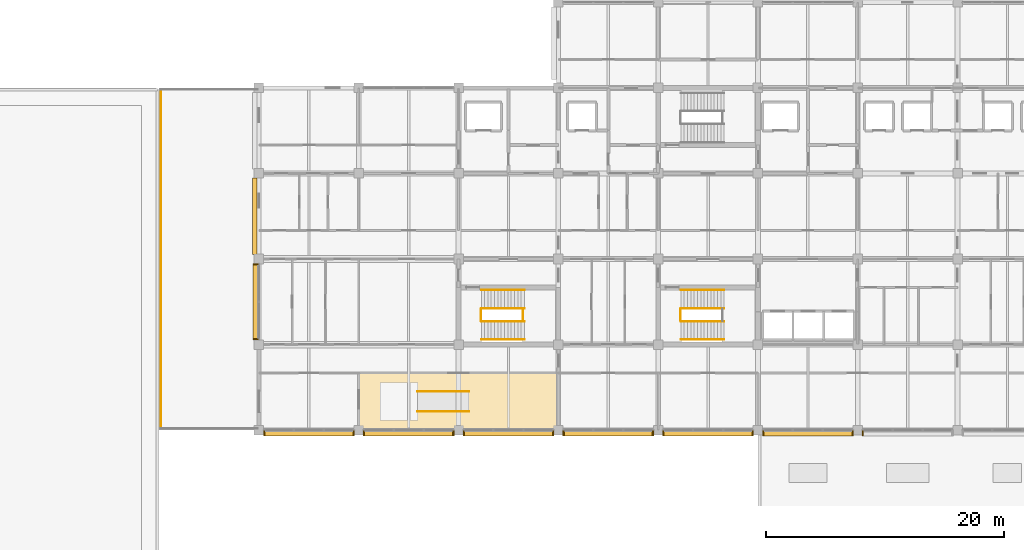
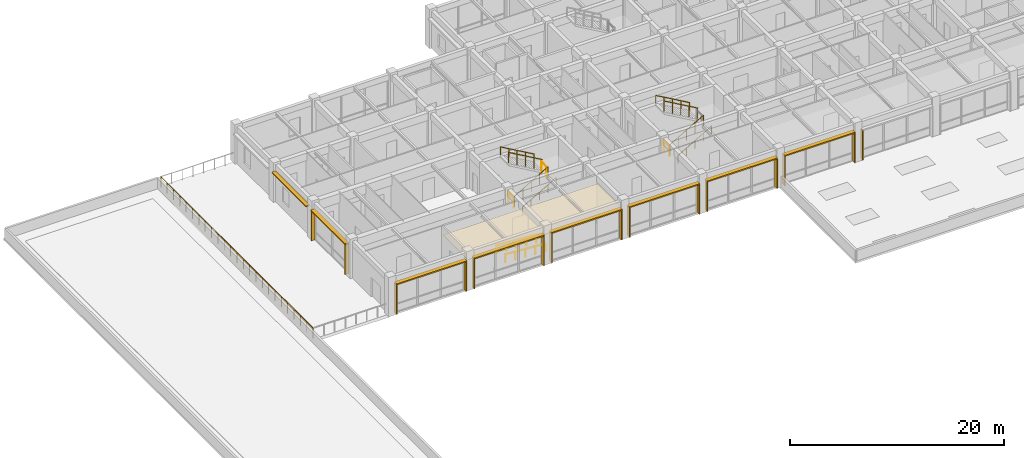
# One storey, part 35 of 40: 23 shading devices, 14 railings, 1 covering.
"""IFC4 building model written with IfcOpenShell, lengths in metres."""

from ifc_helpers import new_model, si_unit, direction, frame, origin, origin_2d, place, context, subcontext, project, spatial, polyline, rectangle, circle, outline, extrude, material, layer, layer_set, type_object, element, save


model = new_model("IFC4")

# Units and contexts
model_context = context("Model", 3, precision=1e-05, world=origin(), true_north=direction((0.0, 1.0)))
body_context = subcontext(model_context, "Body", "Model", "MODEL_VIEW")
ifc_project = project(units=[si_unit("LENGTHUNIT", "METRE"), si_unit("AREAUNIT", "SQUARE_METRE"), si_unit("VOLUMEUNIT", "CUBIC_METRE"), si_unit("PLANEANGLEUNIT", "RADIAN"), si_unit("MASSUNIT", "GRAM", prefix="KILO")], contexts=[model_context])

# Site, building, storey
site_placement = place(None, origin())
site = spatial("IfcSite", under=ifc_project, at=site_placement, CompositionType="ELEMENT")
building_placement = place(site_placement, origin())
building = spatial("IfcBuilding", under=site, at=building_placement, Name="Chengyuan Square Courthouse", CompositionType="ELEMENT")
storey_placement = place(building_placement, frame((0.0, 0.0, 21.60009765625)))
storey = spatial("IfcBuildingStorey", under=building, at=storey_placement, Name="L05", CompositionType="ELEMENT", Elevation=21.60009765625)

# Covering
ifc_material_1 = material(Name="Perforated Larch Glulam Acoustic Slat Ceiling", Category="wood")
ifc_layer = layer(ifc_material_1, 0.044921875)
ifc_layer_set = layer_set([ifc_layer], Name="Perforated Larch Glulam Acoustic Slat Ceiling")
covering_type = type_object("IfcCoveringType", Name="CLG-01", PredefinedType="CEILING", material=ifc_layer_set)
covering_placement = place(storey_placement, frame((0.0, 0.0, 3.139892578125)))
element("IfcCovering", 1, at=covering_placement, inside=storey, type_object=covering_type, Name="Acoustic Timber Slat Ceiling CLG-L05-CRT-M1", PredefinedType="CEILING", context=body_context, shape_type="SweptSolid", body=[
    extrude(outline(polyline([(33.64990234375, 79.25), (50.35009765625, 79.25), (50.35009765625, 83.949951171875), (33.64990234375, 83.949951171875), (33.64990234375, 79.25)])), origin(), (0.0, 0.0, 1.0), 0.044921875),
])

# Railings
ifc_material_2 = material(Name="Stainless Steel S30408 and Laminated Glass Balustrade", Category="steel")
railing_type_1 = type_object("IfcRailingType", Name="RL-01", PredefinedType="BALUSTRADE", material=ifc_material_2)
railing_1_placement = place(storey_placement, frame((16.93994140625, 79.340087890625, 0.0)))
element("IfcRailing", 2, at=railing_1_placement, inside=storey, type_object=railing_type_1, Name="Terrace Safety Balustrade RL-TER-007", PredefinedType="BALUSTRADE", context=body_context, shape_type="SweptSolid", body=[
    extrude(circle(Radius=0.02392578125, at=origin_2d()), frame((0.0, 0.0, 1.17578125), z_axis=(0.0, 1.0, 0.0), x_axis=(-1.0, 0.0, 0.0)), (0.0, 0.0, 1.0), 28.52001953125),
    extrude(circle(Radius=0.02099609375, at=origin_2d()), origin(), (0.0, 0.0, 1.0), 1.15185546875),
    extrude(circle(Radius=0.02099609375, at=origin_2d()), frame((0.0, 1.188232421875, 0.0)), (0.0, 0.0, 1.0), 1.15185546875),
    extrude(circle(Radius=0.02099609375, at=origin_2d()), frame((0.0, 2.376708984375, 0.0)), (0.0, 0.0, 1.0), 1.15185546875),
    extrude(circle(Radius=0.02099609375, at=origin_2d()), frame((0.0, 3.56494140625, 0.0)), (0.0, 0.0, 1.0), 1.15185546875),
    extrude(circle(Radius=0.02099609375, at=origin_2d()), frame((0.0, 4.75341796875, 0.0)), (0.0, 0.0, 1.0), 1.15185546875),
    extrude(circle(Radius=0.02099609375, at=origin_2d()), frame((0.0, 5.941650390625, 0.0)), (0.0, 0.0, 1.0), 1.15185546875),
    extrude(circle(Radius=0.02099609375, at=origin_2d()), frame((0.0, 7.1298828125, 0.0)), (0.0, 0.0, 1.0), 1.15185546875),
    extrude(circle(Radius=0.02099609375, at=origin_2d()), frame((0.0, 8.318359375, 0.0)), (0.0, 0.0, 1.0), 1.15185546875),
    extrude(circle(Radius=0.02099609375, at=origin_2d()), frame((0.0, 9.506591796875, 0.0)), (0.0, 0.0, 1.0), 1.15185546875),
    extrude(circle(Radius=0.02099609375, at=origin_2d()), frame((0.0, 10.695068359375, 0.0)), (0.0, 0.0, 1.0), 1.15185546875),
    extrude(circle(Radius=0.02099609375, at=origin_2d()), frame((0.0, 11.88330078125, 0.0)), (0.0, 0.0, 1.0), 1.15185546875),
    extrude(circle(Radius=0.02099609375, at=origin_2d()), frame((0.0, 13.07177734375, 0.0)), (0.0, 0.0, 1.0), 1.15185546875),
    extrude(circle(Radius=0.02099609375, at=origin_2d()), frame((0.0, 14.260009765625, 0.0)), (0.0, 0.0, 1.0), 1.15185546875),
    extrude(circle(Radius=0.02099609375, at=origin_2d()), frame((0.0, 15.4482421875, 0.0)), (0.0, 0.0, 1.0), 1.15185546875),
    extrude(circle(Radius=0.02099609375, at=origin_2d()), frame((0.0, 16.63671875, 0.0)), (0.0, 0.0, 1.0), 1.15185546875),
    extrude(circle(Radius=0.02099609375, at=origin_2d()), frame((0.0, 17.824951171875, 0.0)), (0.0, 0.0, 1.0), 1.15185546875),
    extrude(circle(Radius=0.02099609375, at=origin_2d()), frame((0.0, 19.013427734375, 0.0)), (0.0, 0.0, 1.0), 1.15185546875),
    extrude(circle(Radius=0.02099609375, at=origin_2d()), frame((0.0, 20.20166015625, 0.0)), (0.0, 0.0, 1.0), 1.15185546875),
    extrude(circle(Radius=0.02099609375, at=origin_2d()), frame((0.0, 21.39013671875, 0.0)), (0.0, 0.0, 1.0), 1.15185546875),
    extrude(circle(Radius=0.02099609375, at=origin_2d()), frame((0.0, 22.578369140625, 0.0)), (0.0, 0.0, 1.0), 1.15185546875),
    extrude(circle(Radius=0.02099609375, at=origin_2d()), frame((0.0, 23.7666015625, 0.0)), (0.0, 0.0, 1.0), 1.15185546875),
    extrude(circle(Radius=0.02099609375, at=origin_2d()), frame((0.0, 24.955078125, 0.0)), (0.0, 0.0, 1.0), 1.15185546875),
    extrude(circle(Radius=0.02099609375, at=origin_2d()), frame((0.0, 26.143310546875, 0.0)), (0.0, 0.0, 1.0), 1.15185546875),
    extrude(circle(Radius=0.02099609375, at=origin_2d()), frame((0.0, 27.331787109375, 0.0)), (0.0, 0.0, 1.0), 1.15185546875),
    extrude(circle(Radius=0.02099609375, at=origin_2d()), frame((0.0, 28.52001953125, 0.0)), (0.0, 0.0, 1.0), 1.15185546875),
])
ifc_material_3 = material(Name="Tempered Glass and Timber Top-Rail Balustrade", Category="wood")
railing_type_2 = type_object("IfcRailingType", Name="RL-02", PredefinedType="BALUSTRADE", material=ifc_material_3)
railing_2_placement = place(storey_placement, frame((60.68994140625, 88.39990234375, 0.0)))
element("IfcRailing", 3, at=railing_2_placement, inside=storey, type_object=railing_type_2, Name="Stair Floor Slot Guard ST-3 L05", PredefinedType="BALUSTRADE", context=body_context, shape_type="SweptSolid", body=[
    extrude(circle(Radius=0.02392578125, at=origin_2d()), frame((0.0, 0.0, 1.17578125), z_axis=(0.0, 1.0, 0.0), x_axis=(-1.0, 0.0, 0.0)), (0.0, 0.0, 1.0), 1.0),
    extrude(circle(Radius=0.02099609375, at=origin_2d()), origin(), (0.0, 0.0, 1.0), 1.15185546875),
    extrude(circle(Radius=0.02099609375, at=origin_2d()), frame((0.0, 1.0, 0.0)), (0.0, 0.0, 1.0), 1.15185546875),
])
railing_3_placement = place(storey_placement, frame((60.7099609375, 88.35009765625, 0.16064453125)))
element("IfcRailing", 4, at=railing_3_placement, inside=storey, type_object=railing_type_2, Name="Stair Flight 1 Guard ST-3-L05", PredefinedType="BALUSTRADE", context=body_context, shape_type="SweptSolid", body=[
    extrude(circle(Radius=0.02392578125, at=origin_2d()), frame((0.0, 0.0, 1.17578125), z_axis=(0.867289372828, 0.0, 0.497804322781), x_axis=(0.0, 1.0, 0.0)), (0.0, 0.0, 1.0), 4.197021484375),
    extrude(circle(Radius=0.02099609375, at=origin_2d()), origin(), (0.0, 0.0, 1.0), 1.15185546875),
    extrude(circle(Radius=0.02099609375, at=origin_2d()), frame((0.91015625, 0.0, 0.5224609375)), (0.0, 0.0, 1.0), 1.15185546875),
    extrude(circle(Radius=0.02099609375, at=origin_2d()), frame((1.820068359375, 0.0, 1.044677734375)), (0.0, 0.0, 1.0), 1.15185546875),
    extrude(circle(Radius=0.02099609375, at=origin_2d()), frame((2.72998046875, 0.0, 1.56689453125)), (0.0, 0.0, 1.0), 1.15185546875),
    extrude(circle(Radius=0.02099609375, at=origin_2d()), frame((3.64013671875, 0.0, 2.08935546875)), (0.0, 0.0, 1.0), 1.15185546875),
])
railing_4_placement = place(storey_placement, frame((64.35009765625, 89.449951171875, 2.41064453125)))
element("IfcRailing", 5, at=railing_4_placement, inside=storey, type_object=railing_type_2, Name="Stair Flight 2 Guard ST-3-L05", PredefinedType="BALUSTRADE", context=body_context, shape_type="SweptSolid", body=[
    extrude(circle(Radius=0.02392578125, at=origin_2d()), frame((0.0, 0.0, 1.17578125), z_axis=(-0.867289372828, 0.0, 0.497804322781), x_axis=(0.0, -1.0, 0.0)), (0.0, 0.0, 1.0), 4.197021484375),
    extrude(circle(Radius=0.02099609375, at=origin_2d()), origin(), (0.0, 0.0, 1.0), 1.15185546875),
    extrude(circle(Radius=0.02099609375, at=origin_2d()), frame((-0.91015625, 0.0, 0.5224609375)), (0.0, 0.0, 1.0), 1.15185546875),
    extrude(circle(Radius=0.02099609375, at=origin_2d()), frame((-1.820068359375, 0.0, 1.044677734375)), (0.0, 0.0, 1.0), 1.15185546875),
    extrude(circle(Radius=0.02099609375, at=origin_2d()), frame((-2.72998046875, 0.0, 1.56689453125)), (0.0, 0.0, 1.0), 1.15185546875),
    extrude(circle(Radius=0.02099609375, at=origin_2d()), frame((-3.64013671875, 0.0, 2.08935546875)), (0.0, 0.0, 1.0), 1.15185546875),
])
for number, where, name in (
    (6, (43.889892578125, 88.39990234375, 0.0), "Stair Floor Slot Guard ST-5 L05"),
    (7, (47.429931640625, 88.39990234375, 2.25), "Stair Landing Guard ST-5-L05"),
):
    element("IfcRailing", number, at=place(storey_placement, frame(where)), inside=storey, type_object=railing_type_2, Name=name, PredefinedType="BALUSTRADE", context=body_context, shape_type="SweptSolid", body=[
        extrude(circle(Radius=0.02392578125, at=origin_2d()), frame((0.0, 0.0, 1.17578125), z_axis=(0.0, 1.0, 0.0), x_axis=(-1.0, 0.0, 0.0)), (0.0, 0.0, 1.0), 1.0),
        extrude(circle(Radius=0.02099609375, at=origin_2d()), origin(), (0.0, 0.0, 1.0), 1.15185546875),
        extrude(circle(Radius=0.02099609375, at=origin_2d()), frame((0.0, 1.0, 0.0)), (0.0, 0.0, 1.0), 1.15185546875),
    ])
railing_5_placement = place(storey_placement, frame((43.909912109375, 88.35009765625, 0.16064453125)))
element("IfcRailing", 8, at=railing_5_placement, inside=storey, type_object=railing_type_2, Name="Stair Flight 1 Guard ST-5-L05", PredefinedType="BALUSTRADE", context=body_context, shape_type="SweptSolid", body=[
    extrude(circle(Radius=0.02392578125, at=origin_2d()), frame((0.0, 0.0, 1.17578125), z_axis=(0.867289372828, 0.0, 0.497804322781), x_axis=(0.0, 1.0, 0.0)), (0.0, 0.0, 1.0), 4.197021484375),
    extrude(circle(Radius=0.02099609375, at=origin_2d()), origin(), (0.0, 0.0, 1.0), 1.15185546875),
    extrude(circle(Radius=0.02099609375, at=origin_2d()), frame((0.91015625, 0.0, 0.5224609375)), (0.0, 0.0, 1.0), 1.15185546875),
    extrude(circle(Radius=0.02099609375, at=origin_2d()), frame((1.820068359375, 0.0, 1.044677734375)), (0.0, 0.0, 1.0), 1.15185546875),
    extrude(circle(Radius=0.02099609375, at=origin_2d()), frame((2.72998046875, 0.0, 1.56689453125)), (0.0, 0.0, 1.0), 1.15185546875),
    extrude(circle(Radius=0.02099609375, at=origin_2d()), frame((3.64013671875, 0.0, 2.08935546875)), (0.0, 0.0, 1.0), 1.15185546875),
])
railing_6_placement = place(storey_placement, frame((47.550048828125, 89.449951171875, 2.41064453125)))
element("IfcRailing", 9, at=railing_6_placement, inside=storey, type_object=railing_type_2, Name="Stair Flight 2 Guard ST-5-L05", PredefinedType="BALUSTRADE", context=body_context, shape_type="SweptSolid", body=[
    extrude(circle(Radius=0.02392578125, at=origin_2d()), frame((0.0, 0.0, 1.17578125), z_axis=(-0.867289372828, 0.0, 0.497804322781), x_axis=(0.0, -1.0, 0.0)), (0.0, 0.0, 1.0), 4.197021484375),
    extrude(circle(Radius=0.02099609375, at=origin_2d()), origin(), (0.0, 0.0, 1.0), 1.15185546875),
    extrude(circle(Radius=0.02099609375, at=origin_2d()), frame((-0.91015625, 0.0, 0.5224609375)), (0.0, 0.0, 1.0), 1.15185546875),
    extrude(circle(Radius=0.02099609375, at=origin_2d()), frame((-1.820068359375, 0.0, 1.044677734375)), (0.0, 0.0, 1.0), 1.15185546875),
    extrude(circle(Radius=0.02099609375, at=origin_2d()), frame((-2.72998046875, 0.0, 1.56689453125)), (0.0, 0.0, 1.0), 1.15185546875),
    extrude(circle(Radius=0.02099609375, at=origin_2d()), frame((-3.64013671875, 0.0, 2.08935546875)), (0.0, 0.0, 1.0), 1.15185546875),
])
ifc_material_4 = material(Name="Stainless Steel S30408 Tubular Handrail", Category="steel")
railing_type_3 = type_object("IfcRailingType", Name="RL-03", PredefinedType="HANDRAIL", material=ifc_material_4)
for number, where, name in (
    (10, (42.8701171875, 80.760009765625, 0.0), "Accessible Bench Ramp Handrail 3.1"),
    (11, (42.8701171875, 82.43994140625, 0.0), "Accessible Bench Ramp Handrail 3.2"),
):
    element("IfcRailing", number, at=place(storey_placement, frame(where)), inside=storey, type_object=railing_type_3, Name=name, PredefinedType="HANDRAIL", context=body_context, shape_type="SweptSolid", body=[
        extrude(circle(Radius=0.02392578125, at=origin_2d()), frame((0.0, 0.0, 0.8759765625), z_axis=(-0.99805235901, 0.0, 0.06238179763), x_axis=(0.0, -1.0, 0.0)), (0.0, 0.0, 1.0), 4.32861328125),
        extrude(circle(Radius=0.02099609375, at=origin_2d()), origin(), (0.0, 0.0, 1.0), 0.851806640625),
        extrude(circle(Radius=0.02099609375, at=origin_2d()), frame((-1.080078125, 0.0, 0.0673828125)), (0.0, 0.0, 1.0), 0.851806640625),
        extrude(circle(Radius=0.02099609375, at=origin_2d()), frame((-2.16015625, 0.0, 0.135009765625)), (0.0, 0.0, 1.0), 0.851806640625),
        extrude(circle(Radius=0.02099609375, at=origin_2d()), frame((-3.239990234375, 0.0, 0.20263671875)), (0.0, 0.0, 1.0), 0.851806640625),
        extrude(circle(Radius=0.02099609375, at=origin_2d()), frame((-4.320068359375, 0.0, 0.27001953125)), (0.0, 0.0, 1.0), 0.851806640625),
    ])
ifc_material_5 = material(Name="Stainless Steel S30408 Stair Handrail", Category="steel")
railing_type_4 = type_object("IfcRailingType", Name="RL-04", PredefinedType="HANDRAIL", material=ifc_material_5)
railing_7_placement = place(storey_placement, frame((60.7099609375, 86.820068359375, 0.16064453125)))
element("IfcRailing", 12, at=railing_7_placement, inside=storey, type_object=railing_type_4, Name="Stair Flight 1 Handrail ST-3-L05", PredefinedType="HANDRAIL", context=body_context, shape_type="SweptSolid", body=[
    extrude(circle(Radius=0.02392578125, at=origin_2d()), frame((0.0, 0.0, 0.8759765625), z_axis=(0.867289372828, 0.0, 0.497804322781), x_axis=(0.0, 1.0, 0.0)), (0.0, 0.0, 1.0), 4.197021484375),
    extrude(circle(Radius=0.02099609375, at=origin_2d()), origin(), (0.0, 0.0, 1.0), 0.851806640625),
    extrude(circle(Radius=0.02099609375, at=origin_2d()), frame((0.91015625, 0.0, 0.5224609375)), (0.0, 0.0, 1.0), 0.851806640625),
    extrude(circle(Radius=0.02099609375, at=origin_2d()), frame((1.820068359375, 0.0, 1.044677734375)), (0.0, 0.0, 1.0), 0.851806640625),
    extrude(circle(Radius=0.02099609375, at=origin_2d()), frame((2.72998046875, 0.0, 1.56689453125)), (0.0, 0.0, 1.0), 0.851806640625),
    extrude(circle(Radius=0.02099609375, at=origin_2d()), frame((3.64013671875, 0.0, 2.08935546875)), (0.0, 0.0, 1.0), 0.851806640625),
])
railing_8_placement = place(storey_placement, frame((64.35009765625, 90.97998046875, 2.41064453125)))
element("IfcRailing", 13, at=railing_8_placement, inside=storey, type_object=railing_type_4, Name="Stair Flight 2 Handrail ST-3-L05", PredefinedType="HANDRAIL", context=body_context, shape_type="SweptSolid", body=[
    extrude(circle(Radius=0.02392578125, at=origin_2d()), frame((0.0, 0.0, 0.8759765625), z_axis=(-0.867289372828, 0.0, 0.497804322781), x_axis=(0.0, -1.0, 0.0)), (0.0, 0.0, 1.0), 4.197021484375),
    extrude(circle(Radius=0.02099609375, at=origin_2d()), origin(), (0.0, 0.0, 1.0), 0.851806640625),
    extrude(circle(Radius=0.02099609375, at=origin_2d()), frame((-0.91015625, 0.0, 0.5224609375)), (0.0, 0.0, 1.0), 0.851806640625),
    extrude(circle(Radius=0.02099609375, at=origin_2d()), frame((-1.820068359375, 0.0, 1.044677734375)), (0.0, 0.0, 1.0), 0.851806640625),
    extrude(circle(Radius=0.02099609375, at=origin_2d()), frame((-2.72998046875, 0.0, 1.56689453125)), (0.0, 0.0, 1.0), 0.851806640625),
    extrude(circle(Radius=0.02099609375, at=origin_2d()), frame((-3.64013671875, 0.0, 2.08935546875)), (0.0, 0.0, 1.0), 0.851806640625),
])
railing_9_placement = place(storey_placement, frame((43.909912109375, 86.820068359375, 0.16064453125)))
element("IfcRailing", 14, at=railing_9_placement, inside=storey, type_object=railing_type_4, Name="Stair Flight 1 Handrail ST-5-L05", PredefinedType="HANDRAIL", context=body_context, shape_type="SweptSolid", body=[
    extrude(circle(Radius=0.02392578125, at=origin_2d()), frame((0.0, 0.0, 0.8759765625), z_axis=(0.867289372828, 0.0, 0.497804322781), x_axis=(0.0, 1.0, 0.0)), (0.0, 0.0, 1.0), 4.197021484375),
    extrude(circle(Radius=0.02099609375, at=origin_2d()), origin(), (0.0, 0.0, 1.0), 0.851806640625),
    extrude(circle(Radius=0.02099609375, at=origin_2d()), frame((0.91015625, 0.0, 0.5224609375)), (0.0, 0.0, 1.0), 0.851806640625),
    extrude(circle(Radius=0.02099609375, at=origin_2d()), frame((1.820068359375, 0.0, 1.044677734375)), (0.0, 0.0, 1.0), 0.851806640625),
    extrude(circle(Radius=0.02099609375, at=origin_2d()), frame((2.72998046875, 0.0, 1.56689453125)), (0.0, 0.0, 1.0), 0.851806640625),
    extrude(circle(Radius=0.02099609375, at=origin_2d()), frame((3.64013671875, 0.0, 2.08935546875)), (0.0, 0.0, 1.0), 0.851806640625),
])
railing_10_placement = place(storey_placement, frame((47.550048828125, 90.97998046875, 2.41064453125)))
element("IfcRailing", 15, at=railing_10_placement, inside=storey, type_object=railing_type_4, Name="Stair Flight 2 Handrail ST-5-L05", PredefinedType="HANDRAIL", context=body_context, shape_type="SweptSolid", body=[
    extrude(circle(Radius=0.02392578125, at=origin_2d()), frame((0.0, 0.0, 0.8759765625), z_axis=(-0.867289372828, 0.0, 0.497804322781), x_axis=(0.0, -1.0, 0.0)), (0.0, 0.0, 1.0), 4.197021484375),
    extrude(circle(Radius=0.02099609375, at=origin_2d()), origin(), (0.0, 0.0, 1.0), 0.851806640625),
    extrude(circle(Radius=0.02099609375, at=origin_2d()), frame((-0.91015625, 0.0, 0.5224609375)), (0.0, 0.0, 1.0), 0.851806640625),
    extrude(circle(Radius=0.02099609375, at=origin_2d()), frame((-1.820068359375, 0.0, 1.044677734375)), (0.0, 0.0, 1.0), 0.851806640625),
    extrude(circle(Radius=0.02099609375, at=origin_2d()), frame((-2.72998046875, 0.0, 1.56689453125)), (0.0, 0.0, 1.0), 0.851806640625),
    extrude(circle(Radius=0.02099609375, at=origin_2d()), frame((-3.64013671875, 0.0, 2.08935546875)), (0.0, 0.0, 1.0), 0.851806640625),
])

# Shading devices
ifc_material_6 = material(Name="Glulam TCt28 Solar Shading Fin", Category="wood")
shading_device_type_1 = type_object("IfcShadingDeviceType", Name="SHD-01", PredefinedType="JALOUSIE", material=ifc_material_6)
for number, where, z_axis, x_axis, name in (
    (16, (25.6298828125, 78.91796875, 0.0400390625), (0.0, 0.0, 1.0), (0.0, 1.0, 0.0), "Glulam Solar Fin SHD-L05-0523"),
    (17, (33.169921875, 78.91796875, 0.0400390625), (0.0, 0.0, 1.0), (0.0, 1.0, 0.0), "Glulam Solar Fin SHD-L05-0524"),
    (18, (24.907958984375, 86.83251953125, 0.0400390625), (0.0, 0.0, 1.0), (1.0, 0.0, 0.0), "Glulam Solar Fin SHD-L05-0526"),
    (19, (24.907958984375, 93.16748046875, 0.0400390625), (0.0, 0.0, 1.0), (1.0, 0.0, 0.0), "Glulam Solar Fin SHD-L05-0527"),
    (20, (34.030029296875, 78.91796875, 0.0400390625), (0.0, 0.0, 1.0), (0.0, 1.0, 0.0), "Glulam Solar Fin SHD-L05-0531"),
    (21, (41.570068359375, 78.91796875, 0.0400390625), (0.0, 0.0, 1.0), (0.0, 1.0, 0.0), "Glulam Solar Fin SHD-L05-0532"),
    (22, (42.429931640625, 78.91796875, 0.0400390625), (0.0, 0.0, 1.0), (0.0, 1.0, 0.0), "Glulam Solar Fin SHD-L05-0534"),
    (23, (49.969970703125, 78.91796875, 0.0400390625), (0.0, 0.0, 1.0), (0.0, 1.0, 0.0), "Glulam Solar Fin SHD-L05-0535"),
    (24, (50.830078125, 78.91796875, 0.0400390625), (0.0, 0.0, 1.0), (0.0, 1.0, 0.0), "Glulam Solar Fin SHD-L05-0537"),
    (25, (58.3701171875, 78.91796875, 0.0400390625), (0.0, 0.0, 1.0), (0.0, 1.0, 0.0), "Glulam Solar Fin SHD-L05-0538"),
    (26, (59.22998046875, 78.91796875, 0.0400390625), (0.0, 0.0, 1.0), (0.0, 1.0, 0.0), "Glulam Solar Fin SHD-L05-0541"),
    (27, (66.77001953125, 78.91796875, 0.0400390625), (0.0, 0.0, 1.0), (0.0, 1.0, 0.0), "Glulam Solar Fin SHD-L05-0542"),
    (28, (67.6298828125, 78.91796875, 0.0400390625), (0.0, 0.0, 1.0), (0.0, 1.0, 0.0), "Glulam Solar Fin SHD-L05-0544"),
    (29, (75.169921875, 78.91796875, 0.0400390625), (0.0, 0.0, 1.0), (0.0, 1.0, 0.0), "Glulam Solar Fin SHD-L05-0545"),
    (30, (76.030029296875, 78.91796875, 0.0400390625), (0.0, 0.0, 1.0), (0.0, 1.0, 0.0), "Glulam Solar Fin SHD-L05-0547"),
):
    element("IfcShadingDevice", number, at=place(storey_placement, frame(where, z_axis=z_axis, x_axis=x_axis)), inside=storey, type_object=shading_device_type_1, Name=name, PredefinedType="JALOUSIE", context=body_context, shape_type="SweptSolid", body=[
        extrude(rectangle(XDim=0.419921875, YDim=0.094970703125, at=origin_2d()), origin(), (0.0, 0.0, 1.0), 3.3798828125),
    ])
ifc_material_7 = material(Name="Glulam TCt28 Sunshade Louvre", Category="wood")
shading_device_type_2 = type_object("IfcShadingDeviceType", Name="SHD-02", PredefinedType="AWNING", material=ifc_material_7)
shading_device_1_placement = place(storey_placement, frame((29.39990234375, 78.91796875, 3.419921875), z_axis=(0.0, 0.0, 1.0), x_axis=(1.0, 0.0, 0.0)))
element("IfcShadingDevice", 31, at=shading_device_1_placement, inside=storey, type_object=shading_device_type_2, Name="Glulam Sunshade Louvre SHD-L05-0525", PredefinedType="AWNING", context=body_context, shape_type="SweptSolid", body=[
    extrude(rectangle(XDim=7.60009765625, YDim=0.43994140625, at=origin_2d()), origin(), (0.0, 0.0, 1.0), 0.139892578125),
])
shading_device_2_placement = place(storey_placement, frame((24.907958984375, 90.0, 3.419921875), z_axis=(0.0, 0.0, 1.0), x_axis=(0.0, 1.0, 0.0)))
element("IfcShadingDevice", 32, at=shading_device_2_placement, inside=storey, type_object=shading_device_type_2, Name="Glulam Sunshade Louvre SHD-L05-0528", PredefinedType="AWNING", context=body_context, shape_type="SweptSolid", body=[
    extrude(rectangle(XDim=6.39990234375, YDim=0.43994140625, at=origin_2d()), origin(), (0.0, 0.0, 1.0), 0.139892578125),
])
for number, where, z_axis, x_axis, name in (
    (33, (37.800048828125, 78.91796875, 3.419921875), (0.0, 0.0, 1.0), (1.0, 0.0, 0.0), "Glulam Sunshade Louvre SHD-L05-0533"),
    (34, (46.199951171875, 78.91796875, 3.419921875), (0.0, 0.0, 1.0), (1.0, 0.0, 0.0), "Glulam Sunshade Louvre SHD-L05-0536"),
    (35, (54.60009765625, 78.91796875, 3.419921875), (0.0, 0.0, 1.0), (1.0, 0.0, 0.0), "Glulam Sunshade Louvre SHD-L05-0539"),
    (36, (63.0, 78.91796875, 3.419921875), (0.0, 0.0, 1.0), (1.0, 0.0, 0.0), "Glulam Sunshade Louvre SHD-L05-0543"),
    (37, (71.39990234375, 78.91796875, 3.419921875), (0.0, 0.0, 1.0), (1.0, 0.0, 0.0), "Glulam Sunshade Louvre SHD-L05-0546"),
):
    element("IfcShadingDevice", number, at=place(storey_placement, frame(where, z_axis=z_axis, x_axis=x_axis)), inside=storey, type_object=shading_device_type_2, Name=name, PredefinedType="AWNING", context=body_context, shape_type="SweptSolid", body=[
        extrude(rectangle(XDim=7.60009765625, YDim=0.43994140625, at=origin_2d()), origin(), (0.0, 0.0, 1.0), 0.139892578125),
    ])
ifc_material_8 = material(Name="Glulam TCt28 Facade Sunshade", Category="wood")
shading_device_type_3 = type_object("IfcShadingDeviceType", Name="SHD-03", PredefinedType="AWNING", material=ifc_material_8)
shading_device_3_placement = place(storey_placement, frame((24.8330078125, 97.199951171875, 3.39990234375), z_axis=(0.0, 0.0, 1.0), x_axis=(0.0, 1.0, 0.0)))
element("IfcShadingDevice", 38, at=shading_device_3_placement, inside=storey, type_object=shading_device_type_3, Name="Glulam Facade Sunshade SHD-L05-0529", PredefinedType="AWNING", context=body_context, shape_type="SweptSolid", body=[
    extrude(rectangle(XDim=6.409912109375, YDim=0.39990234375, at=origin_2d()), origin(), (0.0, 0.0, 1.0), 0.139892578125),
])

save(model, "model.ifc")
